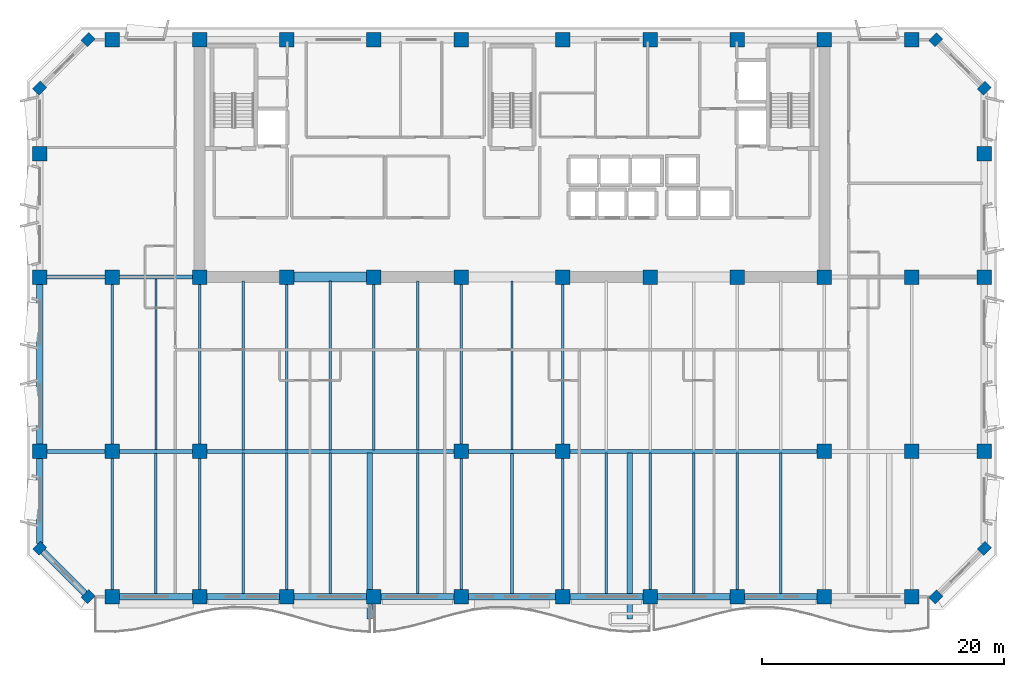
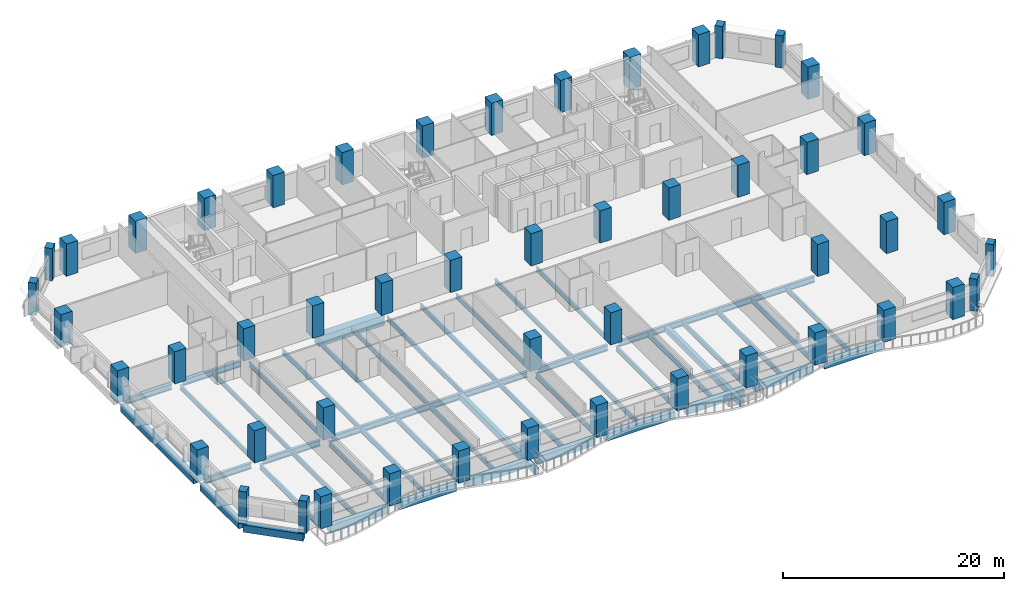
# One storey, part 1 of 14: 50 columns, 47 beams.
"""IFC4 building model written with IfcOpenShell, lengths in metres."""

from ifc_helpers import new_model, si_unit, direction, frame, origin, origin_2d, place, context, subcontext, project, spatial, rectangle, i_section, extrude, material, material_profile, profile_set, type_object, element, save


model = new_model("IFC4")

# Units and contexts
model_context = context("Model", 3, precision=1e-05, world=origin(), true_north=direction((0.0, 1.0)))
body_context = subcontext(model_context, "Body", "Model", "MODEL_VIEW")
ifc_project = project(units=[si_unit("LENGTHUNIT", "METRE"), si_unit("AREAUNIT", "SQUARE_METRE"), si_unit("VOLUMEUNIT", "CUBIC_METRE"), si_unit("PLANEANGLEUNIT", "RADIAN"), si_unit("MASSUNIT", "GRAM", prefix="KILO")], contexts=[model_context])

# Site, building, storey
site_placement = place(None, origin())
site = spatial("IfcSite", under=ifc_project, at=site_placement, CompositionType="ELEMENT")
building_placement = place(site_placement, origin())
building = spatial("IfcBuilding", under=site, at=building_placement, Name="Kaelvorn Grand Hotel", CompositionType="ELEMENT")
storey_placement = place(building_placement, frame((0.0, 0.0, 205.35009765625)))
storey = spatial("IfcBuildingStorey", under=building, at=storey_placement, Name="L50", CompositionType="ELEMENT", Elevation=205.35009765625)

# Columns
ifc_material_1 = material(Name="Concrete C60/75", Category="concrete")
ifc_material_profile_1 = material_profile(ifc_material_1, rectangle(XDim=0.89990234375, YDim=0.75, at=origin_2d()), Name="RC PILASTER 900x750")
ifc_profile_set_1 = profile_set([ifc_material_profile_1], Name="Concrete C60/75")
column_type_1 = type_object("IfcColumnType", Name="COL-PIL-900x750-C60", PredefinedType="PILASTER", material=ifc_profile_set_1)
for number, where, z_axis, x_axis, name in (
    (1, (7.0, 3.0, 0.0), (0.0, 0.0, 1.0), (0.707106781187, 0.707106781187, 0.0), "L50 Structural Column CH-01"),
    (2, (77.0, 3.0, 0.0), (0.0, 0.0, 1.0), (0.707106781187, 0.707106781187, 0.0), "L50 Structural Column CH-02"),
    (3, (81.0, 7.0, 0.0), (0.0, 0.0, 1.0), (0.707106781187, 0.707106781187, 0.0), "L50 Structural Column CH-03"),
    (4, (81.0, 45.0, 0.0), (0.0, 0.0, 1.0), (0.707106781187, 0.707106781187, 0.0), "L50 Structural Column CH-04"),
    (5, (77.0, 49.0, 0.0), (0.0, 0.0, 1.0), (0.707106781187, 0.707106781187, 0.0), "L50 Structural Column CH-05"),
    (6, (7.0, 49.0, 0.0), (0.0, 0.0, 1.0), (0.707106781187, 0.707106781187, 0.0), "L50 Structural Column CH-06"),
    (7, (3.0, 45.0, 0.0), (0.0, 0.0, 1.0), (0.707106781187, 0.707106781187, 0.0), "L50 Structural Column CH-07"),
    (8, (3.0, 7.0, 0.0), (0.0, 0.0, 1.0), (0.707106781187, 0.707106781187, 0.0), "L50 Structural Column CH-08"),
):
    element("IfcColumn", number, at=place(storey_placement, frame(where, z_axis=z_axis, x_axis=x_axis)), inside=storey, type_object=column_type_1, Name=name, PredefinedType="PILASTER", context=body_context, shape_type="SweptSolid", body=[
        extrude(rectangle(XDim=0.89990234375, YDim=0.75, at=origin_2d()), origin(), (0.0, 0.0, 1.0), 3.559814453125),
    ])
ifc_material_profile_2 = material_profile(ifc_material_1, rectangle(XDim=1.199951171875, YDim=1.199951171875, at=origin_2d()), Name="RC COL 1200x1200")
ifc_profile_set_2 = profile_set([ifc_material_profile_2], Name="Concrete C60/75")
column_type_2 = type_object("IfcColumnType", Name="COL-RC-1200-C60", PredefinedType="COLUMN", material=ifc_profile_set_2)
for number, where, z_axis, x_axis, name in (
    (9, (9.0, 3.0, 0.0), (0.0, 0.0, 1.0), (1.0, 0.0, 0.0), "L50 Structural Column S-01"),
    (10, (16.199951171875, 3.0, 0.0), (0.0, 0.0, 1.0), (1.0, 0.0, 0.0), "L50 Structural Column S-02"),
    (11, (23.39990234375, 3.0, 0.0), (0.0, 0.0, 1.0), (1.0, 0.0, 0.0), "L50 Structural Column S-03"),
    (12, (30.60009765625, 3.0, 0.0), (0.0, 0.0, 1.0), (1.0, 0.0, 0.0), "L50 Structural Column S-04"),
    (13, (37.800048828125, 3.0, 0.0), (0.0, 0.0, 1.0), (1.0, 0.0, 0.0), "L50 Structural Column S-05"),
    (14, (46.199951171875, 3.0, 0.0), (0.0, 0.0, 1.0), (1.0, 0.0, 0.0), "L50 Structural Column S-06"),
    (15, (53.39990234375, 3.0, 0.0), (0.0, 0.0, 1.0), (1.0, 0.0, 0.0), "L50 Structural Column S-07"),
    (16, (60.60009765625, 3.0, 0.0), (0.0, 0.0, 1.0), (1.0, 0.0, 0.0), "L50 Structural Column S-08"),
    (17, (67.800048828125, 3.0, 0.0), (0.0, 0.0, 1.0), (1.0, 0.0, 0.0), "L50 Structural Column S-09"),
    (18, (75.0, 3.0, 0.0), (0.0, 0.0, 1.0), (1.0, 0.0, 0.0), "L50 Structural Column S-10"),
    (19, (3.0, 15.0, 0.0), (0.0, 0.0, 1.0), (1.0, 0.0, 0.0), "L50 Structural Column W-01"),
    (20, (81.0, 15.0, 0.0), (0.0, 0.0, 1.0), (1.0, 0.0, 0.0), "L50 Structural Column E-01"),
    (21, (3.0, 29.39990234375, 0.0), (0.0, 0.0, 1.0), (1.0, 0.0, 0.0), "L50 Structural Column W-02"),
    (22, (81.0, 29.39990234375, 0.0), (0.0, 0.0, 1.0), (1.0, 0.0, 0.0), "L50 Structural Column E-02"),
    (23, (3.0, 39.60009765625, 0.0), (0.0, 0.0, 1.0), (1.0, 0.0, 0.0), "L50 Structural Column W-03"),
    (24, (81.0, 39.60009765625, 0.0), (0.0, 0.0, 1.0), (1.0, 0.0, 0.0), "L50 Structural Column E-03"),
    (25, (9.0, 15.0, 0.0), (0.0, 0.0, 1.0), (1.0, 0.0, 0.0), "L50 Structural Column M-01"),
    (26, (16.199951171875, 15.0, 0.0), (0.0, 0.0, 1.0), (1.0, 0.0, 0.0), "L50 Structural Column M-02"),
    (27, (37.800048828125, 15.0, 0.0), (0.0, 0.0, 1.0), (1.0, 0.0, 0.0), "L50 Structural Column M-03"),
    (28, (46.199951171875, 15.0, 0.0), (0.0, 0.0, 1.0), (1.0, 0.0, 0.0), "L50 Structural Column M-04"),
    (29, (67.800048828125, 15.0, 0.0), (0.0, 0.0, 1.0), (1.0, 0.0, 0.0), "L50 Structural Column M-05"),
    (30, (75.0, 15.0, 0.0), (0.0, 0.0, 1.0), (1.0, 0.0, 0.0), "L50 Structural Column M-06"),
    (31, (9.0, 29.39990234375, 0.0), (0.0, 0.0, 1.0), (1.0, 0.0, 0.0), "L50 Structural Column CR1-01"),
    (32, (9.0, 49.0, 0.0), (0.0, 0.0, 1.0), (1.0, 0.0, 0.0), "L50 Structural Column CR2-01"),
    (33, (16.199951171875, 29.39990234375, 0.0), (0.0, 0.0, 1.0), (1.0, 0.0, 0.0), "L50 Structural Column CR1-02"),
    (34, (16.199951171875, 49.0, 0.0), (0.0, 0.0, 1.0), (1.0, 0.0, 0.0), "L50 Structural Column CR2-02"),
    (35, (23.39990234375, 29.39990234375, 0.0), (0.0, 0.0, 1.0), (1.0, 0.0, 0.0), "L50 Structural Column CR1-03"),
    (36, (23.39990234375, 49.0, 0.0), (0.0, 0.0, 1.0), (1.0, 0.0, 0.0), "L50 Structural Column CR2-03"),
    (37, (30.60009765625, 29.39990234375, 0.0), (0.0, 0.0, 1.0), (1.0, 0.0, 0.0), "L50 Structural Column CR1-04"),
    (38, (30.60009765625, 49.0, 0.0), (0.0, 0.0, 1.0), (1.0, 0.0, 0.0), "L50 Structural Column CR2-04"),
    (39, (37.800048828125, 29.39990234375, 0.0), (0.0, 0.0, 1.0), (1.0, 0.0, 0.0), "L50 Structural Column CR1-05"),
    (40, (37.800048828125, 49.0, 0.0), (0.0, 0.0, 1.0), (1.0, 0.0, 0.0), "L50 Structural Column CR2-05"),
    (41, (46.199951171875, 29.39990234375, 0.0), (0.0, 0.0, 1.0), (1.0, 0.0, 0.0), "L50 Structural Column CR1-06"),
    (42, (46.199951171875, 49.0, 0.0), (0.0, 0.0, 1.0), (1.0, 0.0, 0.0), "L50 Structural Column CR2-06"),
    (43, (53.39990234375, 29.39990234375, 0.0), (0.0, 0.0, 1.0), (1.0, 0.0, 0.0), "L50 Structural Column CR1-07"),
    (44, (53.39990234375, 49.0, 0.0), (0.0, 0.0, 1.0), (1.0, 0.0, 0.0), "L50 Structural Column CR2-07"),
    (45, (60.60009765625, 29.39990234375, 0.0), (0.0, 0.0, 1.0), (1.0, 0.0, 0.0), "L50 Structural Column CR1-08"),
    (46, (60.60009765625, 49.0, 0.0), (0.0, 0.0, 1.0), (1.0, 0.0, 0.0), "L50 Structural Column CR2-08"),
    (47, (67.800048828125, 29.39990234375, 0.0), (0.0, 0.0, 1.0), (1.0, 0.0, 0.0), "L50 Structural Column CR1-09"),
    (48, (67.800048828125, 49.0, 0.0), (0.0, 0.0, 1.0), (1.0, 0.0, 0.0), "L50 Structural Column CR2-09"),
    (49, (75.0, 29.39990234375, 0.0), (0.0, 0.0, 1.0), (1.0, 0.0, 0.0), "L50 Structural Column CR1-10"),
    (50, (75.0, 49.0, 0.0), (0.0, 0.0, 1.0), (1.0, 0.0, 0.0), "L50 Structural Column CR2-10"),
):
    element("IfcColumn", number, at=place(storey_placement, frame(where, z_axis=z_axis, x_axis=x_axis)), inside=storey, type_object=column_type_2, Name=name, PredefinedType="COLUMN", context=body_context, shape_type="SweptSolid", body=[
        extrude(rectangle(XDim=1.199951171875, YDim=1.199951171875, at=origin_2d()), origin(), (0.0, 0.0, 1.0), 3.559814453125),
    ])

# Beams
ifc_material_2 = material(Name="Steel S355", Category="steel")
ifc_material_profile_3 = material_profile(ifc_material_2, i_section(OverallWidth=0.300048828125, OverallDepth=0.64990234375, WebThickness=0.01611328125, FlangeThickness=0.031005859375, FilletRadius=0.027099609375, at=origin_2d()), Name="HEB 650")
ifc_profile_set_3 = profile_set([ifc_material_profile_3], Name="Steel S355")
beam_type_1 = type_object("IfcBeamType", Name="BM-G-HEB650-S355", PredefinedType="BEAM", material=ifc_profile_set_3)
beam_1_placement = place(storey_placement, frame((3.5849609375, 15.0, -0.565185546875), z_axis=(1.0, 0.0, 0.0), x_axis=(0.0, 1.0, 0.0)))
element("IfcBeam", 51, at=beam_1_placement, inside=storey, type_object=beam_type_1, Name="L50 Primary Spine Steel Girder G-15 01", PredefinedType="BEAM", context=body_context, shape_type="SweptSolid", body=[
    extrude(i_section(OverallWidth=0.300048828125, OverallDepth=0.64990234375, WebThickness=0.01611328125, FlangeThickness=0.031005859375, FilletRadius=0.027099609375, at=origin_2d()), origin(), (0.0, 0.0, 1.0), 4.830078125),
])
beam_2_placement = place(storey_placement, frame((9.5849609375, 15.0, -0.565185546875), z_axis=(1.0, 0.0, 0.0), x_axis=(0.0, 1.0, 0.0)))
element("IfcBeam", 52, at=beam_2_placement, inside=storey, type_object=beam_type_1, Name="L50 Primary Spine Steel Girder G-15 02", PredefinedType="BEAM", context=body_context, shape_type="SweptSolid", body=[
    extrude(i_section(OverallWidth=0.300048828125, OverallDepth=0.64990234375, WebThickness=0.01611328125, FlangeThickness=0.031005859375, FilletRadius=0.027099609375, at=origin_2d()), origin(), (0.0, 0.0, 1.0), 6.030029296875),
])
beam_3_placement = place(storey_placement, frame((16.784912109375, 15.0, -0.565185546875), z_axis=(1.0, 0.0, 0.0), x_axis=(0.0, 1.0, 0.0)))
element("IfcBeam", 53, at=beam_3_placement, inside=storey, type_object=beam_type_1, Name="L50 Primary Spine Steel Girder G-15 03", PredefinedType="BEAM", context=body_context, shape_type="SweptSolid", body=[
    extrude(i_section(OverallWidth=0.300048828125, OverallDepth=0.64990234375, WebThickness=0.01611328125, FlangeThickness=0.031005859375, FilletRadius=0.027099609375, at=origin_2d()), origin(), (0.0, 0.0, 1.0), 20.43017578125),
])
beam_4_placement = place(storey_placement, frame((38.385009765625, 15.0, -0.565185546875), z_axis=(1.0, 0.0, 0.0), x_axis=(0.0, 1.0, 0.0)))
element("IfcBeam", 54, at=beam_4_placement, inside=storey, type_object=beam_type_1, Name="L50 Primary Spine Steel Girder G-15 04", PredefinedType="BEAM", context=body_context, shape_type="SweptSolid", body=[
    extrude(i_section(OverallWidth=0.300048828125, OverallDepth=0.64990234375, WebThickness=0.01611328125, FlangeThickness=0.031005859375, FilletRadius=0.027099609375, at=origin_2d()), origin(), (0.0, 0.0, 1.0), 7.22998046875),
])
beam_5_placement = place(storey_placement, frame((46.784912109375, 15.0, -0.565185546875), z_axis=(1.0, 0.0, 0.0), x_axis=(0.0, 1.0, 0.0)))
element("IfcBeam", 55, at=beam_5_placement, inside=storey, type_object=beam_type_1, Name="L50 Primary Spine Steel Girder G-15 05", PredefinedType="BEAM", context=body_context, shape_type="SweptSolid", body=[
    extrude(i_section(OverallWidth=0.300048828125, OverallDepth=0.64990234375, WebThickness=0.01611328125, FlangeThickness=0.031005859375, FilletRadius=0.027099609375, at=origin_2d()), origin(), (0.0, 0.0, 1.0), 20.43017578125),
])
beam_6_placement = place(storey_placement, frame((3.5849609375, 29.39990234375, -0.565185546875), z_axis=(1.0, 0.0, 0.0), x_axis=(0.0, 1.0, 0.0)))
element("IfcBeam", 56, at=beam_6_placement, inside=storey, type_object=beam_type_1, Name="L50 West Core Wing Steel Girder G-29W 01", PredefinedType="BEAM", context=body_context, shape_type="SweptSolid", body=[
    extrude(i_section(OverallWidth=0.300048828125, OverallDepth=0.64990234375, WebThickness=0.01611328125, FlangeThickness=0.031005859375, FilletRadius=0.027099609375, at=origin_2d()), origin(), (0.0, 0.0, 1.0), 4.830078125),
])
beam_7_placement = place(storey_placement, frame((9.5849609375, 29.39990234375, -0.565185546875), z_axis=(1.0, 0.0, 0.0), x_axis=(0.0, 1.0, 0.0)))
element("IfcBeam", 57, at=beam_7_placement, inside=storey, type_object=beam_type_1, Name="L50 West Core Wing Steel Girder G-29W 02", PredefinedType="BEAM", context=body_context, shape_type="SweptSolid", body=[
    extrude(i_section(OverallWidth=0.300048828125, OverallDepth=0.64990234375, WebThickness=0.01611328125, FlangeThickness=0.031005859375, FilletRadius=0.027099609375, at=origin_2d()), origin(), (0.0, 0.0, 1.0), 6.030029296875),
])
ifc_material_profile_4 = material_profile(ifc_material_2, i_section(OverallWidth=0.199951171875, OverallDepth=0.5, WebThickness=0.01025390625, FlangeThickness=0.01611328125, FilletRadius=0.02099609375, at=origin_2d()), Name="IPE 500")
ifc_profile_set_4 = profile_set([ifc_material_profile_4], Name="Steel S355")
beam_type_2 = type_object("IfcBeamType", Name="BM-J-IPE500-S355", PredefinedType="JOIST", material=ifc_profile_set_4)
beam_8_placement = place(storey_placement, frame((9.0, 15.5849609375, -0.489990234375), z_axis=(0.0, 1.0, 0.0), x_axis=(-1.0, 0.0, 0.0)))
element("IfcBeam", 58, at=beam_8_placement, inside=storey, type_object=beam_type_2, Name="L50 Composite Floor Joist JM-03", PredefinedType="JOIST", context=body_context, shape_type="SweptSolid", body=[
    extrude(i_section(OverallWidth=0.199951171875, OverallDepth=0.5, WebThickness=0.01025390625, FlangeThickness=0.01611328125, FilletRadius=0.02099609375, at=origin_2d()), origin(), (0.0, 0.0, 1.0), 13.22998046875),
])
beam_9_placement = place(storey_placement, frame((12.60009765625, 15.135009765625, -0.489990234375), z_axis=(0.0, 1.0, 0.0), x_axis=(-1.0, 0.0, 0.0)))
element("IfcBeam", 59, at=beam_9_placement, inside=storey, type_object=beam_type_2, Name="L50 Composite Floor Joist JM-04", PredefinedType="JOIST", context=body_context, shape_type="SweptSolid", body=[
    extrude(i_section(OverallWidth=0.199951171875, OverallDepth=0.5, WebThickness=0.01025390625, FlangeThickness=0.01611328125, FilletRadius=0.02099609375, at=origin_2d()), origin(), (0.0, 0.0, 1.0), 14.1298828125),
])
beam_10_placement = place(storey_placement, frame((16.199951171875, 15.5849609375, -0.489990234375), z_axis=(0.0, 1.0, 0.0), x_axis=(-1.0, 0.0, 0.0)))
element("IfcBeam", 60, at=beam_10_placement, inside=storey, type_object=beam_type_2, Name="L50 Composite Floor Joist JM-05", PredefinedType="JOIST", context=body_context, shape_type="SweptSolid", body=[
    extrude(i_section(OverallWidth=0.199951171875, OverallDepth=0.5, WebThickness=0.01025390625, FlangeThickness=0.01611328125, FilletRadius=0.02099609375, at=origin_2d()), origin(), (0.0, 0.0, 1.0), 13.22998046875),
])
beam_11_placement = place(storey_placement, frame((19.800048828125, 15.135009765625, -0.489990234375), z_axis=(0.0, 1.0, 0.0), x_axis=(-1.0, 0.0, 0.0)))
element("IfcBeam", 61, at=beam_11_placement, inside=storey, type_object=beam_type_2, Name="L50 Composite Floor Joist JM-06", PredefinedType="JOIST", context=body_context, shape_type="SweptSolid", body=[
    extrude(i_section(OverallWidth=0.199951171875, OverallDepth=0.5, WebThickness=0.01025390625, FlangeThickness=0.01611328125, FilletRadius=0.02099609375, at=origin_2d()), origin(), (0.0, 0.0, 1.0), 13.925048828125),
])
beam_12_placement = place(storey_placement, frame((23.39990234375, 15.135009765625, -0.489990234375), z_axis=(0.0, 1.0, 0.0), x_axis=(-1.0, 0.0, 0.0)))
element("IfcBeam", 62, at=beam_12_placement, inside=storey, type_object=beam_type_2, Name="L50 Composite Floor Joist JM-07", PredefinedType="JOIST", context=body_context, shape_type="SweptSolid", body=[
    extrude(i_section(OverallWidth=0.199951171875, OverallDepth=0.5, WebThickness=0.01025390625, FlangeThickness=0.01611328125, FilletRadius=0.02099609375, at=origin_2d()), origin(), (0.0, 0.0, 1.0), 13.679931640625),
])
beam_13_placement = place(storey_placement, frame((27.0, 15.135009765625, -0.489990234375), z_axis=(0.0, 1.0, 0.0), x_axis=(-1.0, 0.0, 0.0)))
element("IfcBeam", 63, at=beam_13_placement, inside=storey, type_object=beam_type_2, Name="L50 Composite Floor Joist JM-08", PredefinedType="JOIST", context=body_context, shape_type="SweptSolid", body=[
    extrude(i_section(OverallWidth=0.199951171875, OverallDepth=0.5, WebThickness=0.01025390625, FlangeThickness=0.01611328125, FilletRadius=0.02099609375, at=origin_2d()), origin(), (0.0, 0.0, 1.0), 13.925048828125),
])
beam_14_placement = place(storey_placement, frame((30.60009765625, 15.135009765625, -0.489990234375), z_axis=(0.0, 1.0, 0.0), x_axis=(-1.0, 0.0, 0.0)))
element("IfcBeam", 64, at=beam_14_placement, inside=storey, type_object=beam_type_2, Name="L50 Composite Floor Joist JM-09", PredefinedType="JOIST", context=body_context, shape_type="SweptSolid", body=[
    extrude(i_section(OverallWidth=0.199951171875, OverallDepth=0.5, WebThickness=0.01025390625, FlangeThickness=0.01611328125, FilletRadius=0.02099609375, at=origin_2d()), origin(), (0.0, 0.0, 1.0), 13.679931640625),
])
beam_15_placement = place(storey_placement, frame((34.199951171875, 15.135009765625, -0.489990234375), z_axis=(0.0, 1.0, 0.0), x_axis=(-1.0, 0.0, 0.0)))
element("IfcBeam", 65, at=beam_15_placement, inside=storey, type_object=beam_type_2, Name="L50 Composite Floor Joist JM-10", PredefinedType="JOIST", context=body_context, shape_type="SweptSolid", body=[
    extrude(i_section(OverallWidth=0.199951171875, OverallDepth=0.5, WebThickness=0.01025390625, FlangeThickness=0.01611328125, FilletRadius=0.02099609375, at=origin_2d()), origin(), (0.0, 0.0, 1.0), 13.925048828125),
])
beam_16_placement = place(storey_placement, frame((37.800048828125, 15.5849609375, -0.489990234375), z_axis=(0.0, 1.0, 0.0), x_axis=(-1.0, 0.0, 0.0)))
element("IfcBeam", 66, at=beam_16_placement, inside=storey, type_object=beam_type_2, Name="L50 Composite Floor Joist JM-11", PredefinedType="JOIST", context=body_context, shape_type="SweptSolid", body=[
    extrude(i_section(OverallWidth=0.199951171875, OverallDepth=0.5, WebThickness=0.01025390625, FlangeThickness=0.01611328125, FilletRadius=0.02099609375, at=origin_2d()), origin(), (0.0, 0.0, 1.0), 13.22998046875),
])
beam_17_placement = place(storey_placement, frame((42.0, 15.135009765625, -0.489990234375), z_axis=(0.0, 1.0, 0.0), x_axis=(-1.0, 0.0, 0.0)))
element("IfcBeam", 67, at=beam_17_placement, inside=storey, type_object=beam_type_2, Name="L50 Composite Floor Joist JM-12", PredefinedType="JOIST", context=body_context, shape_type="SweptSolid", body=[
    extrude(i_section(OverallWidth=0.199951171875, OverallDepth=0.5, WebThickness=0.01025390625, FlangeThickness=0.01611328125, FilletRadius=0.02099609375, at=origin_2d()), origin(), (0.0, 0.0, 1.0), 13.925048828125),
])
beam_18_placement = place(storey_placement, frame((46.199951171875, 15.5849609375, -0.489990234375), z_axis=(0.0, 1.0, 0.0), x_axis=(-1.0, 0.0, 0.0)))
element("IfcBeam", 68, at=beam_18_placement, inside=storey, type_object=beam_type_2, Name="L50 Composite Floor Joist JM-13", PredefinedType="JOIST", context=body_context, shape_type="SweptSolid", body=[
    extrude(i_section(OverallWidth=0.199951171875, OverallDepth=0.5, WebThickness=0.01025390625, FlangeThickness=0.01611328125, FilletRadius=0.02099609375, at=origin_2d()), origin(), (0.0, 0.0, 1.0), 13.22998046875),
])
ifc_material_profile_5 = material_profile(ifc_material_2, i_section(OverallWidth=0.2099609375, OverallDepth=0.550048828125, WebThickness=0.010986328125, FlangeThickness=0.01708984375, FilletRadius=0.02392578125, at=origin_2d()), Name="IPE 550")
ifc_profile_set_5 = profile_set([ifc_material_profile_5], Name="Steel S355")
beam_type_3 = type_object("IfcBeamType", Name="BM-J-IPE550-S355", PredefinedType="JOIST", material=ifc_profile_set_5)
beam_19_placement = place(storey_placement, frame((9.0, 3.5849609375, -0.51513671875), z_axis=(0.0, 1.0, 0.0), x_axis=(-1.0, 0.0, 0.0)))
element("IfcBeam", 69, at=beam_19_placement, inside=storey, type_object=beam_type_3, Name="L50 Composite Floor Joist JS-03", PredefinedType="JOIST", context=body_context, shape_type="SweptSolid", body=[
    extrude(i_section(OverallWidth=0.2099609375, OverallDepth=0.550048828125, WebThickness=0.010986328125, FlangeThickness=0.01708984375, FilletRadius=0.02392578125, at=origin_2d()), origin(), (0.0, 0.0, 1.0), 10.830078125),
])
beam_20_placement = place(storey_placement, frame((12.60009765625, 3.260009765625, -0.51513671875), z_axis=(0.0, 1.0, 0.0), x_axis=(-1.0, 0.0, 0.0)))
element("IfcBeam", 70, at=beam_20_placement, inside=storey, type_object=beam_type_3, Name="L50 Composite Floor Joist JS-04", PredefinedType="JOIST", context=body_context, shape_type="SweptSolid", body=[
    extrude(i_section(OverallWidth=0.2099609375, OverallDepth=0.550048828125, WebThickness=0.010986328125, FlangeThickness=0.01708984375, FilletRadius=0.02392578125, at=origin_2d()), origin(), (0.0, 0.0, 1.0), 11.60498046875),
])
beam_21_placement = place(storey_placement, frame((16.199951171875, 3.5849609375, -0.51513671875), z_axis=(0.0, 1.0, 0.0), x_axis=(-1.0, 0.0, 0.0)))
element("IfcBeam", 71, at=beam_21_placement, inside=storey, type_object=beam_type_3, Name="L50 Composite Floor Joist JS-05", PredefinedType="JOIST", context=body_context, shape_type="SweptSolid", body=[
    extrude(i_section(OverallWidth=0.2099609375, OverallDepth=0.550048828125, WebThickness=0.010986328125, FlangeThickness=0.01708984375, FilletRadius=0.02392578125, at=origin_2d()), origin(), (0.0, 0.0, 1.0), 10.830078125),
])
beam_22_placement = place(storey_placement, frame((19.800048828125, 3.260009765625, -0.51513671875), z_axis=(0.0, 1.0, 0.0), x_axis=(-1.0, 0.0, 0.0)))
element("IfcBeam", 72, at=beam_22_placement, inside=storey, type_object=beam_type_3, Name="L50 Composite Floor Joist JS-06", PredefinedType="JOIST", context=body_context, shape_type="SweptSolid", body=[
    extrude(i_section(OverallWidth=0.2099609375, OverallDepth=0.550048828125, WebThickness=0.010986328125, FlangeThickness=0.01708984375, FilletRadius=0.02392578125, at=origin_2d()), origin(), (0.0, 0.0, 1.0), 11.60498046875),
])
beam_23_placement = place(storey_placement, frame((23.39990234375, 3.5849609375, -0.51513671875), z_axis=(0.0, 1.0, 0.0), x_axis=(-1.0, 0.0, 0.0)))
element("IfcBeam", 73, at=beam_23_placement, inside=storey, type_object=beam_type_3, Name="L50 Composite Floor Joist JS-07", PredefinedType="JOIST", context=body_context, shape_type="SweptSolid", body=[
    extrude(i_section(OverallWidth=0.2099609375, OverallDepth=0.550048828125, WebThickness=0.010986328125, FlangeThickness=0.01708984375, FilletRadius=0.02392578125, at=origin_2d()), origin(), (0.0, 0.0, 1.0), 11.280029296875),
])
for number, where, z_axis, x_axis, name in (
    (74, (27.0, 3.260009765625, -0.51513671875), (0.0, 1.0, 0.0), (-1.0, 0.0, 0.0), "L50 Composite Floor Joist JS-08"),
    (75, (34.199951171875, 3.260009765625, -0.51513671875), (0.0, 1.0, 0.0), (-1.0, 0.0, 0.0), "L50 Composite Floor Joist JS-10"),
):
    element("IfcBeam", number, at=place(storey_placement, frame(where, z_axis=z_axis, x_axis=x_axis)), inside=storey, type_object=beam_type_3, Name=name, PredefinedType="JOIST", context=body_context, shape_type="SweptSolid", body=[
        extrude(i_section(OverallWidth=0.2099609375, OverallDepth=0.550048828125, WebThickness=0.010986328125, FlangeThickness=0.01708984375, FilletRadius=0.02392578125, at=origin_2d()), origin(), (0.0, 0.0, 1.0), 11.60498046875),
    ])
beam_24_placement = place(storey_placement, frame((37.800048828125, 3.5849609375, -0.51513671875), z_axis=(0.0, 1.0, 0.0), x_axis=(-1.0, 0.0, 0.0)))
element("IfcBeam", 76, at=beam_24_placement, inside=storey, type_object=beam_type_3, Name="L50 Composite Floor Joist JS-11", PredefinedType="JOIST", context=body_context, shape_type="SweptSolid", body=[
    extrude(i_section(OverallWidth=0.2099609375, OverallDepth=0.550048828125, WebThickness=0.010986328125, FlangeThickness=0.01708984375, FilletRadius=0.02392578125, at=origin_2d()), origin(), (0.0, 0.0, 1.0), 10.830078125),
])
beam_25_placement = place(storey_placement, frame((42.0, 3.260009765625, -0.51513671875), z_axis=(0.0, 1.0, 0.0), x_axis=(-1.0, 0.0, 0.0)))
element("IfcBeam", 77, at=beam_25_placement, inside=storey, type_object=beam_type_3, Name="L50 Composite Floor Joist JS-12", PredefinedType="JOIST", context=body_context, shape_type="SweptSolid", body=[
    extrude(i_section(OverallWidth=0.2099609375, OverallDepth=0.550048828125, WebThickness=0.010986328125, FlangeThickness=0.01708984375, FilletRadius=0.02392578125, at=origin_2d()), origin(), (0.0, 0.0, 1.0), 11.60498046875),
])
beam_26_placement = place(storey_placement, frame((46.199951171875, 3.5849609375, -0.51513671875), z_axis=(0.0, 1.0, 0.0), x_axis=(-1.0, 0.0, 0.0)))
element("IfcBeam", 78, at=beam_26_placement, inside=storey, type_object=beam_type_3, Name="L50 Composite Floor Joist JS-13", PredefinedType="JOIST", context=body_context, shape_type="SweptSolid", body=[
    extrude(i_section(OverallWidth=0.2099609375, OverallDepth=0.550048828125, WebThickness=0.010986328125, FlangeThickness=0.01708984375, FilletRadius=0.02392578125, at=origin_2d()), origin(), (0.0, 0.0, 1.0), 10.830078125),
])
beam_27_placement = place(storey_placement, frame((49.800048828125, 3.260009765625, -0.51513671875), z_axis=(0.0, 1.0, 0.0), x_axis=(-1.0, 0.0, 0.0)))
element("IfcBeam", 79, at=beam_27_placement, inside=storey, type_object=beam_type_3, Name="L50 Composite Floor Joist JS-14", PredefinedType="JOIST", context=body_context, shape_type="SweptSolid", body=[
    extrude(i_section(OverallWidth=0.2099609375, OverallDepth=0.550048828125, WebThickness=0.010986328125, FlangeThickness=0.01708984375, FilletRadius=0.02392578125, at=origin_2d()), origin(), (0.0, 0.0, 1.0), 11.60498046875),
])
beam_28_placement = place(storey_placement, frame((53.39990234375, 3.5849609375, -0.51513671875), z_axis=(0.0, 1.0, 0.0), x_axis=(-1.0, 0.0, 0.0)))
element("IfcBeam", 80, at=beam_28_placement, inside=storey, type_object=beam_type_3, Name="L50 Composite Floor Joist JS-15", PredefinedType="JOIST", context=body_context, shape_type="SweptSolid", body=[
    extrude(i_section(OverallWidth=0.2099609375, OverallDepth=0.550048828125, WebThickness=0.010986328125, FlangeThickness=0.01708984375, FilletRadius=0.02392578125, at=origin_2d()), origin(), (0.0, 0.0, 1.0), 11.280029296875),
])
beam_29_placement = place(storey_placement, frame((57.0, 3.260009765625, -0.51513671875), z_axis=(0.0, 1.0, 0.0), x_axis=(-1.0, 0.0, 0.0)))
element("IfcBeam", 81, at=beam_29_placement, inside=storey, type_object=beam_type_3, Name="L50 Composite Floor Joist JS-16", PredefinedType="JOIST", context=body_context, shape_type="SweptSolid", body=[
    extrude(i_section(OverallWidth=0.2099609375, OverallDepth=0.550048828125, WebThickness=0.010986328125, FlangeThickness=0.01708984375, FilletRadius=0.02392578125, at=origin_2d()), origin(), (0.0, 0.0, 1.0), 11.60498046875),
])
beam_30_placement = place(storey_placement, frame((60.60009765625, 3.5849609375, -0.51513671875), z_axis=(0.0, 1.0, 0.0), x_axis=(-1.0, 0.0, 0.0)))
element("IfcBeam", 82, at=beam_30_placement, inside=storey, type_object=beam_type_3, Name="L50 Composite Floor Joist JS-17", PredefinedType="JOIST", context=body_context, shape_type="SweptSolid", body=[
    extrude(i_section(OverallWidth=0.2099609375, OverallDepth=0.550048828125, WebThickness=0.010986328125, FlangeThickness=0.01708984375, FilletRadius=0.02392578125, at=origin_2d()), origin(), (0.0, 0.0, 1.0), 11.280029296875),
])
beam_31_placement = place(storey_placement, frame((64.199951171875, 3.260009765625, -0.51513671875), z_axis=(0.0, 1.0, 0.0), x_axis=(-1.0, 0.0, 0.0)))
element("IfcBeam", 83, at=beam_31_placement, inside=storey, type_object=beam_type_3, Name="L50 Composite Floor Joist JS-18", PredefinedType="JOIST", context=body_context, shape_type="SweptSolid", body=[
    extrude(i_section(OverallWidth=0.2099609375, OverallDepth=0.550048828125, WebThickness=0.010986328125, FlangeThickness=0.01708984375, FilletRadius=0.02392578125, at=origin_2d()), origin(), (0.0, 0.0, 1.0), 11.60498046875),
])
ifc_material_profile_6 = material_profile(ifc_material_1, rectangle(XDim=0.800048828125, YDim=1.10009765625, at=origin_2d()), Name="RC LINTEL 800x1100")
ifc_profile_set_6 = profile_set([ifc_material_profile_6], Name="Concrete C60/75")
beam_type_4 = type_object("IfcBeamType", Name="BM-LIN-800x1100-C60", PredefinedType="LINTEL", material=ifc_profile_set_6)
beam_32_placement = place(storey_placement, frame((23.580078125, 29.39990234375, -0.7900390625), z_axis=(1.0, 0.0, 0.0), x_axis=(0.0, 1.0, 0.0)))
element("IfcBeam", 84, at=beam_32_placement, inside=storey, type_object=beam_type_4, Name="L50 Rear-Core Coupling Lintel Beam CB1-01", PredefinedType="LINTEL", context=body_context, shape_type="SweptSolid", body=[
    extrude(rectangle(XDim=0.800048828125, YDim=1.10009765625, at=origin_2d()), origin(), (0.0, 0.0, 1.0), 6.83984375),
])
ifc_material_3 = material(Name="Concrete C40/50", Category="concrete")
ifc_material_profile_7 = material_profile(ifc_material_3, rectangle(XDim=0.449951171875, YDim=0.64990234375, at=origin_2d()), Name="RC RIB 450x650")
ifc_profile_set_7 = profile_set([ifc_material_profile_7], Name="Concrete C40/50")
beam_type_5 = type_object("IfcBeamType", Name="BM-RIB-450x650-C40", PredefinedType="SPANDREL", material=ifc_profile_set_7)
for number, where, z_axis, x_axis, name in (
    (85, (30.2666015625, 1.14990234375, -0.545166015625), (0.0, 1.0, 0.0), (-1.0, 0.0, 0.0), "L50 Cantilevered Balcony Back-Span Rib RB1-1"),
    (86, (51.71435546875, 1.14990234375, -0.545166015625), (0.0, 1.0, 0.0), (-1.0, 0.0, 0.0), "L50 Cantilevered Balcony Back-Span Rib RB1-2"),
):
    element("IfcBeam", number, at=place(storey_placement, frame(where, z_axis=z_axis, x_axis=x_axis)), inside=storey, type_object=beam_type_5, Name=name, PredefinedType="SPANDREL", context=body_context, shape_type="SweptSolid", body=[
        extrude(rectangle(XDim=0.449951171875, YDim=0.64990234375, at=origin_2d()), origin(), (0.0, 0.0, 1.0), 13.715087890625),
    ])
ifc_material_4 = material(Name="Concrete C50/60", Category="concrete")
ifc_material_profile_8 = material_profile(ifc_material_4, rectangle(XDim=0.550048828125, YDim=0.800048828125, at=origin_2d()), Name="RC SPANDREL 550x800")
ifc_profile_set_8 = profile_set([ifc_material_profile_8], Name="Concrete C50/60")
beam_type_6 = type_object("IfcBeamType", Name="BM-SP-550x800-C50", PredefinedType="SPANDREL", material=ifc_profile_set_8)
for number, where, z_axis, x_axis, name in (
    (87, (9.5849609375, 3.0, -0.64013671875), (1.0, 0.0, 0.0), (0.0, 1.0, 0.0), "L50 South Perimeter Spandrel 02"),
    (88, (16.784912109375, 3.0, -0.64013671875), (1.0, 0.0, 0.0), (0.0, 1.0, 0.0), "L50 South Perimeter Spandrel 03"),
):
    element("IfcBeam", number, at=place(storey_placement, frame(where, z_axis=z_axis, x_axis=x_axis)), inside=storey, type_object=beam_type_6, Name=name, PredefinedType="SPANDREL", context=body_context, shape_type="SweptSolid", body=[
        extrude(rectangle(XDim=0.550048828125, YDim=0.800048828125, at=origin_2d()), origin(), (0.0, 0.0, 1.0), 6.030029296875),
    ])
beam_33_placement = place(storey_placement, frame((23.985107421875, 3.0, -0.64013671875), z_axis=(1.0, 0.0, 0.0), x_axis=(0.0, 1.0, 0.0)))
element("IfcBeam", 89, at=beam_33_placement, inside=storey, type_object=beam_type_6, Name="L50 South Perimeter Spandrel 04", PredefinedType="SPANDREL", context=body_context, shape_type="SweptSolid", body=[
    extrude(rectangle(XDim=0.550048828125, YDim=0.800048828125, at=origin_2d()), origin(), (0.0, 0.0, 1.0), 6.02978515625),
])
beam_34_placement = place(storey_placement, frame((31.18505859375, 3.0, -0.64013671875), z_axis=(1.0, 0.0, 0.0), x_axis=(0.0, 1.0, 0.0)))
element("IfcBeam", 90, at=beam_34_placement, inside=storey, type_object=beam_type_6, Name="L50 South Perimeter Spandrel 05", PredefinedType="SPANDREL", context=body_context, shape_type="SweptSolid", body=[
    extrude(rectangle(XDim=0.550048828125, YDim=0.800048828125, at=origin_2d()), origin(), (0.0, 0.0, 1.0), 6.030029296875),
])
beam_35_placement = place(storey_placement, frame((38.385009765625, 3.0, -0.64013671875), z_axis=(1.0, 0.0, 0.0), x_axis=(0.0, 1.0, 0.0)))
element("IfcBeam", 91, at=beam_35_placement, inside=storey, type_object=beam_type_6, Name="L50 South Perimeter Spandrel 06", PredefinedType="SPANDREL", context=body_context, shape_type="SweptSolid", body=[
    extrude(rectangle(XDim=0.550048828125, YDim=0.800048828125, at=origin_2d()), origin(), (0.0, 0.0, 1.0), 7.22998046875),
])
beam_36_placement = place(storey_placement, frame((46.784912109375, 3.0, -0.64013671875), z_axis=(1.0, 0.0, 0.0), x_axis=(0.0, 1.0, 0.0)))
element("IfcBeam", 92, at=beam_36_placement, inside=storey, type_object=beam_type_6, Name="L50 South Perimeter Spandrel 07", PredefinedType="SPANDREL", context=body_context, shape_type="SweptSolid", body=[
    extrude(rectangle(XDim=0.550048828125, YDim=0.800048828125, at=origin_2d()), origin(), (0.0, 0.0, 1.0), 6.030029296875),
])
beam_37_placement = place(storey_placement, frame((53.985107421875, 3.0, -0.64013671875), z_axis=(1.0, 0.0, 0.0), x_axis=(0.0, 1.0, 0.0)))
element("IfcBeam", 93, at=beam_37_placement, inside=storey, type_object=beam_type_6, Name="L50 South Perimeter Spandrel 08", PredefinedType="SPANDREL", context=body_context, shape_type="SweptSolid", body=[
    extrude(rectangle(XDim=0.550048828125, YDim=0.800048828125, at=origin_2d()), origin(), (0.0, 0.0, 1.0), 6.02978515625),
])
beam_38_placement = place(storey_placement, frame((61.18505859375, 3.0, -0.64013671875), z_axis=(1.0, 0.0, 0.0), x_axis=(0.0, 1.0, 0.0)))
element("IfcBeam", 94, at=beam_38_placement, inside=storey, type_object=beam_type_6, Name="L50 South Perimeter Spandrel 09", PredefinedType="SPANDREL", context=body_context, shape_type="SweptSolid", body=[
    extrude(rectangle(XDim=0.550048828125, YDim=0.800048828125, at=origin_2d()), origin(), (0.0, 0.0, 1.0), 6.030029296875),
])
beam_39_placement = place(storey_placement, frame((3.0, 7.405029296875, -0.64013671875), z_axis=(0.0, 1.0, 0.0), x_axis=(-1.0, 0.0, 0.0)))
element("IfcBeam", 95, at=beam_39_placement, inside=storey, type_object=beam_type_6, Name="L50 West Perimeter Spandrel 01", PredefinedType="SPANDREL", context=body_context, shape_type="SweptSolid", body=[
    extrude(rectangle(XDim=0.550048828125, YDim=0.800048828125, at=origin_2d()), origin(), (0.0, 0.0, 1.0), 7.010009765625),
])
beam_40_placement = place(storey_placement, frame((3.0, 15.5849609375, -0.64013671875), z_axis=(0.0, 1.0, 0.0), x_axis=(-1.0, 0.0, 0.0)))
element("IfcBeam", 96, at=beam_40_placement, inside=storey, type_object=beam_type_6, Name="L50 West Perimeter Spandrel 02", PredefinedType="SPANDREL", context=body_context, shape_type="SweptSolid", body=[
    extrude(rectangle(XDim=0.550048828125, YDim=0.800048828125, at=origin_2d()), origin(), (0.0, 0.0, 1.0), 13.22998046875),
])
beam_41_placement = place(storey_placement, frame((3.0, 7.0, -0.64013671875), z_axis=(0.707106781187, -0.707106781187, 0.0), x_axis=(0.707106781187, 0.707106781187, 0.0)))
element("IfcBeam", 97, at=beam_41_placement, inside=storey, type_object=beam_type_6, Name="L50 Chamfer Spandrel Beam 4", PredefinedType="SPANDREL", context=body_context, shape_type="SweptSolid", body=[
    extrude(rectangle(XDim=0.550048828125, YDim=0.800048828125, at=origin_2d()), origin(), (0.0, 0.0, 1.0), 5.65673828125),
])

save(model, "model.ifc")
